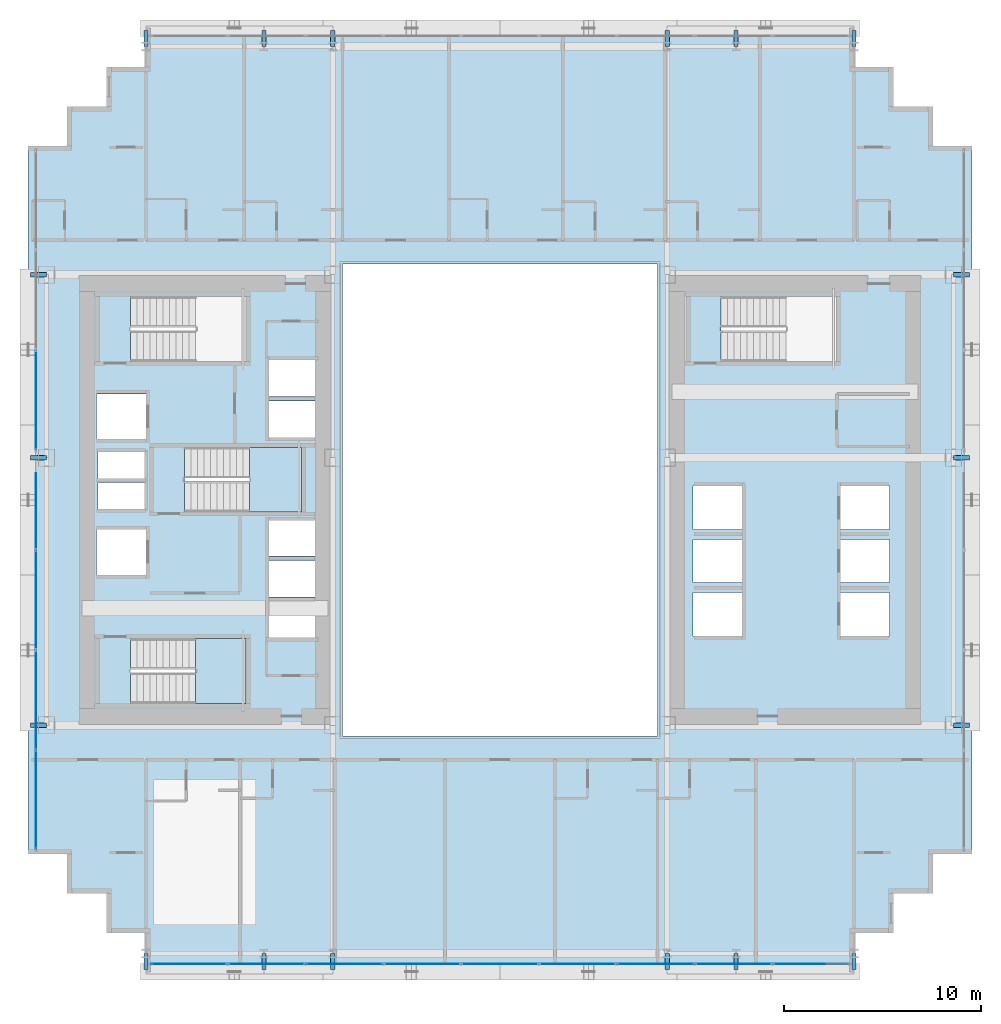
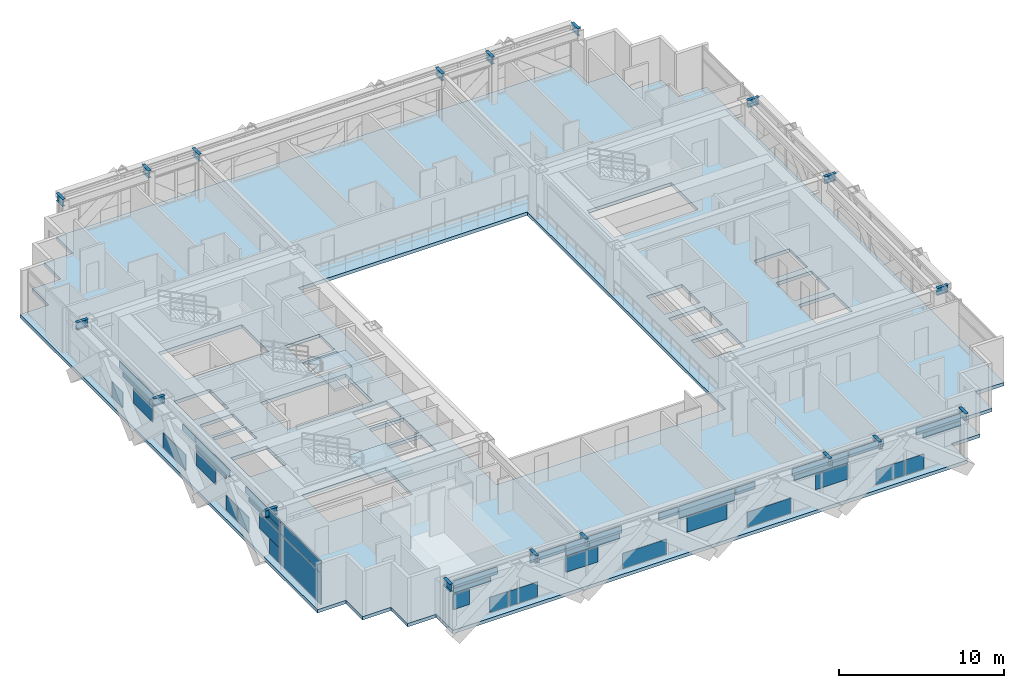
# One storey, part 23 of 35: 40 plates, 18 beams, 3 slabs, 4 elements without a shape of their own.
"""IFC4 building model written with IfcOpenShell, lengths in metres."""

from ifc_helpers import new_model, si_unit, direction, frame, origin, origin_2d, place, context, subcontext, project, spatial, polyline, rectangle, i_section, outline, extrude, source, transform, mapped, material, layer, layer_set, material_profile, profile_set, type_object, element, aggregate, save


model = new_model("IFC4")

# Units and contexts
model_context = context("Model", 3, precision=1e-05, world=origin(), true_north=direction((0.0, 1.0)))
body_context = subcontext(model_context, "Body", "Model", "MODEL_VIEW")
ifc_project = project(units=[si_unit("LENGTHUNIT", "METRE"), si_unit("AREAUNIT", "SQUARE_METRE"), si_unit("VOLUMEUNIT", "CUBIC_METRE"), si_unit("PLANEANGLEUNIT", "RADIAN"), si_unit("MASSUNIT", "GRAM", prefix="KILO")], contexts=[model_context])

# Site, building, storey
site_placement = place(None, origin())
site = spatial("IfcSite", under=ifc_project, at=site_placement, CompositionType="ELEMENT")
building_placement = place(site_placement, origin())
building = spatial("IfcBuilding", under=site, at=building_placement, Name="Ocotamira Hotel", CompositionType="ELEMENT")
storey_placement = place(building_placement, frame((0.0, 0.0, 70.800048828125)))
storey = spatial("IfcBuildingStorey", under=building, at=storey_placement, Name="L17", CompositionType="ELEMENT", Elevation=70.800048828125)

# Beams
ifc_material_1 = material(Name="Steel ASTM A992 Grade 50", Category="steel")
ifc_material_profile = material_profile(ifc_material_1, i_section(OverallWidth=0.2099609375, OverallDepth=0.537109375, WebThickness=0.010986328125, FlangeThickness=0.017333984375, FilletRadius=0.012939453125, at=origin_2d()), Name="W21X68")
ifc_profile_set = profile_set([ifc_material_profile], Name="Steel ASTM A992 Grade 50")
beam_type = type_object("IfcBeamType", Name="BM-SEC-W21X68", PredefinedType="JOIST", material=ifc_profile_set)
shared_shape_1 = source(origin(), body_context, "Body", "SweptSolid", [
    extrude(i_section(OverallWidth=0.2099609375, OverallDepth=0.537109375, WebThickness=0.010986328125, FlangeThickness=0.017333984375, FilletRadius=0.012939453125, at=origin_2d()), origin(), (0.0, 0.0, 1.0), 0.800048828125),
])
for number, where, z_axis, x_axis, name in (
    (1, (14.0, 2.949951171875, 3.08154296875), (0.0, -1.0, 0.0), (1.0, 0.0, 0.0), "L17 South Edge Header X14"),
    (2, (14.0, 49.050048828125, 3.08154296875), (0.0, 1.0, 0.0), (-1.0, 0.0, 0.0), "L17 North Edge Header X14"),
    (3, (20.0, 2.949951171875, 3.08154296875), (0.0, -1.0, 0.0), (1.0, 0.0, 0.0), "L17 South Edge Header X20"),
    (4, (20.0, 49.050048828125, 3.08154296875), (0.0, 1.0, 0.0), (-1.0, 0.0, 0.0), "L17 North Edge Header X20"),
    (5, (23.5, 2.949951171875, 3.08154296875), (0.0, -1.0, 0.0), (1.0, 0.0, 0.0), "L17 South Edge Header X23.5"),
    (6, (23.5, 49.050048828125, 3.08154296875), (0.0, 1.0, 0.0), (-1.0, 0.0, 0.0), "L17 North Edge Header X23.5"),
    (7, (40.5, 2.949951171875, 3.08154296875), (0.0, -1.0, 0.0), (1.0, 0.0, 0.0), "L17 South Edge Header X40.5"),
    (8, (40.5, 49.050048828125, 3.08154296875), (0.0, 1.0, 0.0), (-1.0, 0.0, 0.0), "L17 North Edge Header X40.5"),
    (9, (44.0, 2.949951171875, 3.08154296875), (0.0, -1.0, 0.0), (1.0, 0.0, 0.0), "L17 South Edge Header X44"),
    (10, (44.0, 49.050048828125, 3.08154296875), (0.0, 1.0, 0.0), (-1.0, 0.0, 0.0), "L17 North Edge Header X44"),
    (11, (50.0, 2.949951171875, 3.08154296875), (0.0, -1.0, 0.0), (1.0, 0.0, 0.0), "L17 South Edge Header X50"),
    (12, (50.0, 49.050048828125, 3.08154296875), (0.0, 1.0, 0.0), (-1.0, 0.0, 0.0), "L17 North Edge Header X50"),
    (13, (8.949951171875, 14.550048828125, 3.08154296875), (-1.0, 0.0, 0.0), (0.0, -1.0, 0.0), "L17 West Edge Header Y14.55"),
    (14, (55.050048828125, 14.550048828125, 3.08154296875), (1.0, 0.0, 0.0), (0.0, 1.0, 0.0), "L17 East Edge Header Y14.55"),
    (15, (8.949951171875, 28.14990234375, 3.08154296875), (-1.0, 0.0, 0.0), (0.0, -1.0, 0.0), "L17 West Edge Header Y28.15"),
    (16, (55.050048828125, 28.14990234375, 3.08154296875), (1.0, 0.0, 0.0), (0.0, 1.0, 0.0), "L17 East Edge Header Y28.15"),
    (17, (8.949951171875, 37.449951171875, 3.08154296875), (-1.0, 0.0, 0.0), (0.0, -1.0, 0.0), "L17 West Edge Header Y37.45"),
    (18, (55.050048828125, 37.449951171875, 3.08154296875), (1.0, 0.0, 0.0), (0.0, 1.0, 0.0), "L17 East Edge Header Y37.45"),
):
    element("IfcBeam", number, at=place(storey_placement, frame(where, z_axis=z_axis, x_axis=x_axis)), inside=storey, type_object=beam_type, Name=name, PredefinedType="JOIST", context=body_context, shape_type="MappedRepresentation", body=[
        mapped(shared_shape_1, transform((0.0, 0.0, 0.0), scale=1.0)),
    ])

# Stair, slab
ifc_material_2 = material(Name="Concrete C40/50", Category="concrete")
stair_type = type_object("IfcStairType", Name="ST-CORE-1560", PredefinedType="HALF_TURN_STAIR", material=ifc_material_2)
stair_1_placement = place(storey_placement, origin())
stair_1 = element("IfcStair", 19, at=stair_1_placement, inside=storey, type_object=stair_type, Name="L17 Exit Stair ST-1", PredefinedType="HALF_TURN_STAIR")
ifc_layer_1 = layer(ifc_material_2, 0.199951171875)
ifc_layer_set_1 = layer_set([ifc_layer_1], Name="Concrete C40/50")
slab_type_1 = type_object("IfcSlabType", Name="SLB-LAND-200", PredefinedType="LANDING", material=ifc_layer_set_1)
slab_1_placement = place(storey_placement, frame((0.0, 0.0, 1.599853515625)))
slab_1 = element("IfcSlab", 20, at=slab_1_placement, type_object=slab_type_1, Name="ST-1 landing 1", PredefinedType="LANDING", context=body_context, shape_type="SweptSolid", body=[
    extrude(outline(polyline([(16.530029296875, 15.669921875), (19.090087890625, 15.669921875), (19.090087890625, 18.949951171875), (16.530029296875, 18.949951171875), (16.530029296875, 15.669921875)])), origin(), (0.0, 0.0, 1.0), 0.2001953125),
])
aggregate(stair_1, [slab_1])

stair_2_placement = place(storey_placement, origin())
stair_2 = element("IfcStair", 21, at=stair_2_placement, inside=storey, type_object=stair_type, Name="L17 Exit Stair ST-3", PredefinedType="HALF_TURN_STAIR")
slab_2_placement = place(storey_placement, frame((0.0, 0.0, 1.599853515625)))
slab_2 = element("IfcSlab", 22, at=slab_2_placement, type_object=slab_type_1, Name="ST-3 landing 1", PredefinedType="LANDING", context=body_context, shape_type="SweptSolid", body=[
    extrude(outline(polyline([(19.260009765625, 25.39990234375), (21.919921875, 25.39990234375), (21.919921875, 28.679931640625), (19.260009765625, 28.679931640625), (19.260009765625, 25.39990234375)])), origin(), (0.0, 0.0, 1.0), 0.2001953125),
])
aggregate(stair_2, [slab_2])

# Slab
ifc_layer_2 = layer(ifc_material_2, 0.25)
ifc_layer_set_2 = layer_set([ifc_layer_2], Name="Concrete C40/50")
slab_type_2 = type_object("IfcSlabType", Name="SLB-Z1-250", PredefinedType="FLOOR", material=ifc_layer_set_2)
slab_3_placement = place(storey_placement, frame((0.0, 0.0, -0.25)))
element("IfcSlab", 23, at=slab_3_placement, inside=storey, type_object=slab_type_2, Name="L17 Structural Floor Slab", PredefinedType="FLOOR", context=body_context, shape_type="SweptSolid", body=[
    extrude(outline(polyline([(14.0, 2.0), (50.0, 2.0), (50.0, 4.0), (52.0, 4.0), (52.0, 6.0), (54.0, 6.0), (54.0, 8.0), (56.0, 8.0), (56.0, 44.0), (54.0, 44.0), (54.0, 46.0), (52.0, 46.0), (52.0, 48.0), (50.0, 48.0), (50.0, 50.0), (14.0, 50.0), (14.0, 48.0), (12.0, 48.0), (12.0, 46.0), (10.0, 46.0), (10.0, 44.0), (8.0, 44.0), (8.0, 8.0), (10.0, 8.0), (10.0, 6.0), (12.0, 6.0), (12.0, 4.0), (14.0, 4.0), (14.0, 2.0)]), holes=[polyline([(24.0, 14.0), (40.0, 14.0), (40.0, 38.0), (24.0, 38.0), (24.0, 14.0)]), polyline([(13.22998046875, 15.669921875), (19.090087890625, 15.669921875), (19.090087890625, 18.949951171875), (13.22998046875, 18.949951171875), (13.22998046875, 15.669921875)]), polyline([(13.22998046875, 33.050048828125), (19.090087890625, 33.050048828125), (19.090087890625, 36.330078125), (13.22998046875, 36.330078125), (13.22998046875, 33.050048828125)]), polyline([(15.9599609375, 25.39990234375), (21.919921875, 25.39990234375), (21.919921875, 28.679931640625), (15.9599609375, 28.679931640625), (15.9599609375, 25.39990234375)]), polyline([(43.22998046875, 33.050048828125), (49.090087890625, 33.050048828125), (49.090087890625, 36.330078125), (43.22998046875, 36.330078125), (43.22998046875, 33.050048828125)]), polyline([(49.300048828125, 19.10009765625), (51.800048828125, 19.10009765625), (51.800048828125, 21.300048828125), (49.300048828125, 21.300048828125), (49.300048828125, 19.10009765625)]), polyline([(49.300048828125, 21.800048828125), (51.800048828125, 21.800048828125), (51.800048828125, 24.0), (49.300048828125, 24.0), (49.300048828125, 21.800048828125)]), polyline([(49.300048828125, 24.5), (51.800048828125, 24.5), (51.800048828125, 26.699951171875), (49.300048828125, 26.699951171875), (49.300048828125, 24.5)]), polyline([(41.800048828125, 19.10009765625), (44.300048828125, 19.10009765625), (44.300048828125, 21.300048828125), (41.800048828125, 21.300048828125), (41.800048828125, 19.10009765625)]), polyline([(41.800048828125, 21.800048828125), (44.300048828125, 21.800048828125), (44.300048828125, 24.0), (41.800048828125, 24.0), (41.800048828125, 21.800048828125)]), polyline([(41.800048828125, 24.5), (44.300048828125, 24.5), (44.300048828125, 26.699951171875), (41.800048828125, 26.699951171875), (41.800048828125, 24.5)]), polyline([(20.25, 19.0), (22.659912109375, 19.0), (22.659912109375, 20.85009765625), (20.25, 20.85009765625), (20.25, 19.0)]), polyline([(20.25, 21.080078125), (22.659912109375, 21.080078125), (22.659912109375, 22.929931640625), (20.25, 22.929931640625), (20.25, 21.080078125)]), polyline([(20.25, 23.159912109375), (22.659912109375, 23.159912109375), (22.659912109375, 24.9599609375), (20.25, 24.9599609375), (20.25, 23.159912109375)]), polyline([(20.25, 29.179931640625), (22.659912109375, 29.179931640625), (22.659912109375, 31.030029296875), (20.25, 31.030029296875), (20.25, 29.179931640625)]), polyline([(20.25, 31.260009765625), (22.659912109375, 31.260009765625), (22.659912109375, 33.110107421875), (20.25, 33.110107421875), (20.25, 31.260009765625)]), polyline([(11.5, 22.199951171875), (14.0, 22.199951171875), (14.0, 24.5), (11.5, 24.5), (11.5, 22.199951171875)]), polyline([(11.5, 29.10009765625), (14.0, 29.10009765625), (14.0, 31.39990234375), (11.5, 31.39990234375), (11.5, 29.10009765625)]), polyline([(11.580078125, 25.550048828125), (13.919921875, 25.550048828125), (13.919921875, 26.89990234375), (11.580078125, 26.89990234375), (11.580078125, 25.550048828125)]), polyline([(11.580078125, 27.10009765625), (13.919921875, 27.10009765625), (13.919921875, 28.449951171875), (11.580078125, 28.449951171875), (11.580078125, 27.10009765625)])]), origin(), (0.0, 0.0, 1.0), 0.25),
])

# Curtain wall, plates
ifc_material_3 = material(Name="Anodised pale-metal aluminium and solar glass", Category="aluminium")
ifc_layer_3 = layer(ifc_material_3, 0.179931640625)
ifc_layer_set_3 = layer_set([ifc_layer_3], Name="Anodised pale-metal aluminium and solar glass")
curtain_wall_type = type_object("IfcCurtainWallType", Name="CW-SYS2-Z1", PredefinedType="NOTDEFINED", material=ifc_layer_set_3)
curtain_wall_1_placement = place(storey_placement, origin())
curtain_wall_1 = element("IfcCurtainWall", 24, at=curtain_wall_1_placement, inside=storey, type_object=curtain_wall_type, Name="L17 Curtain Wall CW-2 CW-L17-S1", PredefinedType="NOTDEFINED")
ifc_material_4 = material(Name="Double-silver low-E insulated solar glass", Category="glass")
ifc_layer_4 = layer(ifc_material_4, 0.031982421875)
ifc_layer_set_4 = layer_set([ifc_layer_4], Name="Double-silver low-E insulated solar glass")
plate_type = type_object("IfcPlateType", Name="CWP-VISION-32", PredefinedType="CURTAIN_PANEL", material=ifc_layer_set_4)
shared_shape_2 = source(origin(), body_context, "Body", "SweptSolid", [
    extrude(rectangle(XDim=1.11669921875, YDim=0.031982421875, at=origin_2d()), origin(), (0.0, 0.0, 1.0), 1.11865234375),
])
plate_1_placement = place(storey_placement, frame((14.83837890625, 2.419921875, 1.193603515625), z_axis=(0.0, 0.0, 1.0), x_axis=(1.0, 0.0, 0.0)))
plate_1 = element("IfcPlate", 25, at=plate_1_placement, type_object=plate_type, Name="CW-2 panel 1.1.1", PredefinedType="CURTAIN_PANEL", context=body_context, shape_type="MappedRepresentation", body=[
    mapped(shared_shape_2, transform((0.0, 0.0, 0.0), scale=1.0)),
])
shared_shape_3 = source(origin(), body_context, "Body", "SweptSolid", [
    extrude(rectangle(XDim=2.60888671875, YDim=0.031982421875, at=origin_2d()), origin(), (0.0, 0.0, 1.0), 0.345458984375),
])
plate_2_placement = place(storey_placement, frame((15.58447265625, 2.419921875, 2.38720703125), z_axis=(0.0, 0.0, 1.0), x_axis=(1.0, 0.0, 0.0)))
plate_2 = element("IfcPlate", 26, at=plate_2_placement, type_object=plate_type, Name="CW-2 panel 1.2.1", PredefinedType="CURTAIN_PANEL", context=body_context, shape_type="MappedRepresentation", body=[
    mapped(shared_shape_3, transform((0.0, 0.0, 0.0), scale=1.0)),
])
plate_3_placement = place(storey_placement, frame((48.41552734375, 2.419921875, 2.38720703125), z_axis=(0.0, 0.0, 1.0), x_axis=(1.0, 0.0, 0.0)))
plate_3 = element("IfcPlate", 27, at=plate_3_placement, type_object=plate_type, Name="CW-2 panel 9.2.2", PredefinedType="CURTAIN_PANEL", context=body_context, shape_type="MappedRepresentation", body=[
    mapped(shared_shape_3, transform((0.0, 0.0, 0.0), scale=1.0)),
])
shared_shape_4 = source(origin(), body_context, "Body", "SweptSolid", [
    extrude(rectangle(XDim=3.079833984375, YDim=0.031982421875, at=origin_2d()), origin(), (0.0, 0.0, 1.0), 0.5107421875),
])
plate_4_placement = place(storey_placement, frame((15.820068359375, 2.419921875, 2.76416015625), z_axis=(0.0, 0.0, 1.0), x_axis=(1.0, 0.0, 0.0)))
plate_4 = element("IfcPlate", 28, at=plate_4_placement, type_object=plate_type, Name="CW-2 panel 1.2.2", PredefinedType="CURTAIN_PANEL", context=body_context, shape_type="MappedRepresentation", body=[
    mapped(shared_shape_4, transform((0.0, 0.0, 0.0), scale=1.0)),
])
plate_5_placement = place(storey_placement, frame((48.179931640625, 2.419921875, 2.76416015625), z_axis=(0.0, 0.0, 1.0), x_axis=(1.0, 0.0, 0.0)))
plate_5 = element("IfcPlate", 29, at=plate_5_placement, type_object=plate_type, Name="CW-2 panel 9.2.1", PredefinedType="CURTAIN_PANEL", context=body_context, shape_type="MappedRepresentation", body=[
    mapped(shared_shape_4, transform((0.0, 0.0, 0.0), scale=1.0)),
])
shared_shape_5 = source(origin(), body_context, "Body", "SweptSolid", [
    extrude(rectangle(XDim=2.430908203125, YDim=0.031982421875, at=origin_2d()), origin(), (0.0, 0.0, 1.0), 0.5107421875),
])
plate_6_placement = place(storey_placement, frame((20.855712890625, 2.419921875, 2.76416015625), z_axis=(0.0, 0.0, 1.0), x_axis=(1.0, 0.0, 0.0)))
plate_6 = element("IfcPlate", 30, at=plate_6_placement, type_object=plate_type, Name="CW-2 panel 2.2.1", PredefinedType="CURTAIN_PANEL", context=body_context, shape_type="MappedRepresentation", body=[
    mapped(shared_shape_5, transform((0.0, 0.0, 0.0), scale=1.0)),
])
plate_7_placement = place(storey_placement, frame((43.144287109375, 2.419921875, 2.76416015625), z_axis=(0.0, 0.0, 1.0), x_axis=(1.0, 0.0, 0.0)))
plate_7 = element("IfcPlate", 31, at=plate_7_placement, type_object=plate_type, Name="CW-2 panel 8.2.1", PredefinedType="CURTAIN_PANEL", context=body_context, shape_type="MappedRepresentation", body=[
    mapped(shared_shape_5, transform((0.0, 0.0, 0.0), scale=1.0)),
])
shared_shape_6 = source(origin(), body_context, "Body", "SweptSolid", [
    extrude(rectangle(XDim=2.24560546875, YDim=0.031982421875, at=origin_2d()), origin(), (0.0, 0.0, 1.0), 1.11865234375),
])
plate_8_placement = place(storey_placement, frame((23.27392578125, 2.419921875, 1.193603515625), z_axis=(0.0, 0.0, 1.0), x_axis=(1.0, 0.0, 0.0)))
plate_8 = element("IfcPlate", 32, at=plate_8_placement, type_object=plate_type, Name="CW-2 panel 3.1.1", PredefinedType="CURTAIN_PANEL", context=body_context, shape_type="MappedRepresentation", body=[
    mapped(shared_shape_6, transform((0.0, 0.0, 0.0), scale=1.0)),
])
plate_9_placement = place(storey_placement, frame((40.72607421875, 2.419921875, 1.193603515625), z_axis=(0.0, 0.0, 1.0), x_axis=(1.0, 0.0, 0.0)))
plate_9 = element("IfcPlate", 33, at=plate_9_placement, type_object=plate_type, Name="CW-2 panel 7.1.1", PredefinedType="CURTAIN_PANEL", context=body_context, shape_type="MappedRepresentation", body=[
    mapped(shared_shape_6, transform((0.0, 0.0, 0.0), scale=1.0)),
])
shared_shape_7 = source(origin(), body_context, "Body", "SweptSolid", [
    extrude(rectangle(XDim=3.73779296875, YDim=0.031982421875, at=origin_2d()), origin(), (0.0, 0.0, 1.0), 0.376708984375),
])
plate_10_placement = place(storey_placement, frame((24.02001953125, 2.419921875, 2.3876953125), z_axis=(0.0, 0.0, 1.0), x_axis=(1.0, 0.0, 0.0)))
plate_10 = element("IfcPlate", 34, at=plate_10_placement, type_object=plate_type, Name="CW-2 panel 3.2.1", PredefinedType="CURTAIN_PANEL", context=body_context, shape_type="MappedRepresentation", body=[
    mapped(shared_shape_7, transform((0.0, 0.0, 0.0), scale=1.0)),
])
plate_11_placement = place(storey_placement, frame((39.97998046875, 2.419921875, 2.3876953125), z_axis=(0.0, 0.0, 1.0), x_axis=(1.0, 0.0, 0.0)))
plate_11 = element("IfcPlate", 35, at=plate_11_placement, type_object=plate_type, Name="CW-2 panel 7.2.2", PredefinedType="CURTAIN_PANEL", context=body_context, shape_type="MappedRepresentation", body=[
    mapped(shared_shape_7, transform((0.0, 0.0, 0.0), scale=1.0)),
])
shared_shape_8 = source(origin(), body_context, "Body", "SweptSolid", [
    extrude(rectangle(XDim=3.87548828125, YDim=0.031982421875, at=origin_2d()), origin(), (0.0, 0.0, 1.0), 0.5107421875),
])
plate_12_placement = place(storey_placement, frame((24.0888671875, 2.419921875, 2.76416015625), z_axis=(0.0, 0.0, 1.0), x_axis=(1.0, 0.0, 0.0)))
plate_12 = element("IfcPlate", 36, at=plate_12_placement, type_object=plate_type, Name="CW-2 panel 3.2.2", PredefinedType="CURTAIN_PANEL", context=body_context, shape_type="MappedRepresentation", body=[
    mapped(shared_shape_8, transform((0.0, 0.0, 0.0), scale=1.0)),
])
plate_13_placement = place(storey_placement, frame((39.9111328125, 2.419921875, 2.76416015625), z_axis=(0.0, 0.0, 1.0), x_axis=(1.0, 0.0, 0.0)))
plate_13 = element("IfcPlate", 37, at=plate_13_placement, type_object=plate_type, Name="CW-2 panel 7.2.1", PredefinedType="CURTAIN_PANEL", context=body_context, shape_type="MappedRepresentation", body=[
    mapped(shared_shape_8, transform((0.0, 0.0, 0.0), scale=1.0)),
])
shared_shape_9 = source(origin(), body_context, "Body", "SweptSolid", [
    extrude(rectangle(XDim=1.34228515625, YDim=0.031982421875, at=origin_2d()), origin(), (0.0, 0.0, 1.0), 0.5107421875),
])
plate_14_placement = place(storey_placement, frame((29.31103515625, 2.419921875, 2.76416015625), z_axis=(0.0, 0.0, 1.0), x_axis=(1.0, 0.0, 0.0)))
plate_14 = element("IfcPlate", 38, at=plate_14_placement, type_object=plate_type, Name="CW-2 panel 4.2.1", PredefinedType="CURTAIN_PANEL", context=body_context, shape_type="MappedRepresentation", body=[
    mapped(shared_shape_9, transform((0.0, 0.0, 0.0), scale=1.0)),
])
plate_15_placement = place(storey_placement, frame((34.68896484375, 2.419921875, 2.76416015625), z_axis=(0.0, 0.0, 1.0), x_axis=(1.0, 0.0, 0.0)))
plate_15 = element("IfcPlate", 39, at=plate_15_placement, type_object=plate_type, Name="CW-2 panel 6.2.1", PredefinedType="CURTAIN_PANEL", context=body_context, shape_type="MappedRepresentation", body=[
    mapped(shared_shape_9, transform((0.0, 0.0, 0.0), scale=1.0)),
])
shared_shape_10 = source(origin(), body_context, "Body", "SweptSolid", [
    extrude(rectangle(XDim=2.793701171875, YDim=0.031982421875, at=origin_2d()), origin(), (0.0, 0.0, 1.0), 1.11865234375),
])
plate_16_placement = place(storey_placement, frame((32.0, 2.419921875, 1.193603515625), z_axis=(0.0, 0.0, 1.0), x_axis=(1.0, 0.0, 0.0)))
plate_16 = element("IfcPlate", 40, at=plate_16_placement, type_object=plate_type, Name="CW-2 panel 5.1.1", PredefinedType="CURTAIN_PANEL", context=body_context, shape_type="MappedRepresentation", body=[
    mapped(shared_shape_10, transform((0.0, 0.0, 0.0), scale=1.0)),
])
shared_shape_11 = source(origin(), body_context, "Body", "SweptSolid", [
    extrude(rectangle(XDim=3.87548828125, YDim=0.031982421875, at=origin_2d()), origin(), (0.0, 0.0, 1.0), 0.887451171875),
])
plate_17_placement = place(storey_placement, frame((32.0, 2.419921875, 2.3876953125), z_axis=(0.0, 0.0, 1.0), x_axis=(1.0, 0.0, 0.0)))
plate_17 = element("IfcPlate", 41, at=plate_17_placement, type_object=plate_type, Name="CW-2 panel 5.2", PredefinedType="CURTAIN_PANEL", context=body_context, shape_type="MappedRepresentation", body=[
    mapped(shared_shape_11, transform((0.0, 0.0, 0.0), scale=1.0)),
])

curtain_wall_2_placement = place(storey_placement, origin())
curtain_wall_2 = element("IfcCurtainWall", 42, at=curtain_wall_2_placement, inside=storey, type_object=curtain_wall_type, Name="L17 Curtain Wall CW-2 CW-L17-W", PredefinedType="NOTDEFINED")
shared_shape_12 = source(origin(), body_context, "Body", "SweptSolid", [
    extrude(rectangle(XDim=4.9658203125, YDim=0.031982421875, at=origin_2d()), origin(), (0.0, 0.0, 1.0), 2.237548828125),
])
plate_18_placement = place(storey_placement, frame((8.419921875, 10.762939453125, 0.07470703125), z_axis=(0.0, 0.0, 1.0), x_axis=(0.0, 1.0, 0.0)))
plate_18 = element("IfcPlate", 43, at=plate_18_placement, type_object=plate_type, Name="CW-2 panel 1.1", PredefinedType="CURTAIN_PANEL", context=body_context, shape_type="MappedRepresentation", body=[
    mapped(shared_shape_12, transform((0.0, 0.0, 0.0), scale=1.0)),
])
shared_shape_13 = source(origin(), body_context, "Body", "SweptSolid", [
    extrude(rectangle(XDim=4.9658203125, YDim=0.031982421875, at=origin_2d()), origin(), (0.0, 0.0, 1.0), 0.887451171875),
])
plate_19_placement = place(storey_placement, frame((8.419921875, 10.762939453125, 2.3876953125), z_axis=(0.0, 0.0, 1.0), x_axis=(0.0, 1.0, 0.0)))
plate_19 = element("IfcPlate", 44, at=plate_19_placement, type_object=plate_type, Name="CW-2 panel 1.2", PredefinedType="CURTAIN_PANEL", context=body_context, shape_type="MappedRepresentation", body=[
    mapped(shared_shape_13, transform((0.0, 0.0, 0.0), scale=1.0)),
])
shared_shape_14 = source(origin(), body_context, "Body", "SweptSolid", [
    extrude(rectangle(XDim=2.364013671875, YDim=0.031982421875, at=origin_2d()), origin(), (0.0, 0.0, 1.0), 1.11865234375),
])
plate_20_placement = place(storey_placement, frame((8.419921875, 14.5078125, 1.193603515625), z_axis=(0.0, 0.0, 1.0), x_axis=(0.0, 1.0, 0.0)))
plate_20 = element("IfcPlate", 45, at=plate_20_placement, type_object=plate_type, Name="CW-2 panel 2.1.2", PredefinedType="CURTAIN_PANEL", context=body_context, shape_type="MappedRepresentation", body=[
    mapped(shared_shape_14, transform((0.0, 0.0, 0.0), scale=1.0)),
])
shared_shape_15 = source(origin(), body_context, "Body", "SweptSolid", [
    extrude(rectangle(XDim=3.629638671875, YDim=0.031982421875, at=origin_2d()), origin(), (0.0, 0.0, 1.0), 0.367919921875),
])
plate_21_placement = place(storey_placement, frame((8.419921875, 15.140625, 2.3876953125), z_axis=(0.0, 0.0, 1.0), x_axis=(0.0, 1.0, 0.0)))
plate_21 = element("IfcPlate", 46, at=plate_21_placement, type_object=plate_type, Name="CW-2 panel 2.2.1", PredefinedType="CURTAIN_PANEL", context=body_context, shape_type="MappedRepresentation", body=[
    mapped(shared_shape_15, transform((0.0, 0.0, 0.0), scale=1.0)),
])
shared_shape_16 = source(origin(), body_context, "Body", "SweptSolid", [
    extrude(rectangle(XDim=4.05615234375, YDim=0.031982421875, at=origin_2d()), origin(), (0.0, 0.0, 1.0), 0.485107421875),
])
plate_22_placement = place(storey_placement, frame((8.419921875, 15.353759765625, 2.7900390625), z_axis=(0.0, 0.0, 1.0), x_axis=(0.0, 1.0, 0.0)))
plate_22 = element("IfcPlate", 47, at=plate_22_placement, type_object=plate_type, Name="CW-2 panel 2.2.2", PredefinedType="CURTAIN_PANEL", context=body_context, shape_type="MappedRepresentation", body=[
    mapped(shared_shape_16, transform((0.0, 0.0, 0.0), scale=1.0)),
])
shared_shape_17 = source(origin(), body_context, "Body", "SweptSolid", [
    extrude(rectangle(XDim=2.27978515625, YDim=0.031982421875, at=origin_2d()), origin(), (0.0, 0.0, 1.0), 1.11865234375),
])
plate_23_placement = place(storey_placement, frame((8.419921875, 22.183349609375, 1.193603515625), z_axis=(0.0, 0.0, 1.0), x_axis=(0.0, 1.0, 0.0)))
plate_23 = element("IfcPlate", 48, at=plate_23_placement, type_object=plate_type, Name="CW-2 panel 3.1.2", PredefinedType="CURTAIN_PANEL", context=body_context, shape_type="MappedRepresentation", body=[
    mapped(shared_shape_17, transform((0.0, 0.0, 0.0), scale=1.0)),
])
plate_24_placement = place(storey_placement, frame((8.419921875, 29.816650390625, 1.193603515625), z_axis=(0.0, 0.0, 1.0), x_axis=(0.0, 1.0, 0.0)))
plate_24 = element("IfcPlate", 49, at=plate_24_placement, type_object=plate_type, Name="CW-2 panel 5.1.1", PredefinedType="CURTAIN_PANEL", context=body_context, shape_type="MappedRepresentation", body=[
    mapped(shared_shape_17, transform((0.0, 0.0, 0.0), scale=1.0)),
])
shared_shape_18 = source(origin(), body_context, "Body", "SweptSolid", [
    extrude(rectangle(XDim=4.06591796875, YDim=0.031982421875, at=origin_2d()), origin(), (0.0, 0.0, 1.0), 0.485107421875),
])
plate_25_placement = place(storey_placement, frame((8.419921875, 21.38427734375, 2.7900390625), z_axis=(0.0, 0.0, 1.0), x_axis=(0.0, 1.0, 0.0)))
plate_25 = element("IfcPlate", 50, at=plate_25_placement, type_object=plate_type, Name="CW-2 panel 3.2.1", PredefinedType="CURTAIN_PANEL", context=body_context, shape_type="MappedRepresentation", body=[
    mapped(shared_shape_18, transform((0.0, 0.0, 0.0), scale=1.0)),
])
plate_26_placement = place(storey_placement, frame((8.419921875, 30.61572265625, 2.7900390625), z_axis=(0.0, 0.0, 1.0), x_axis=(0.0, 1.0, 0.0)))
plate_26 = element("IfcPlate", 51, at=plate_26_placement, type_object=plate_type, Name="CW-2 panel 5.2.2", PredefinedType="CURTAIN_PANEL", context=body_context, shape_type="MappedRepresentation", body=[
    mapped(shared_shape_18, transform((0.0, 0.0, 0.0), scale=1.0)),
])
shared_shape_19 = source(origin(), body_context, "Body", "SweptSolid", [
    extrude(rectangle(XDim=3.639404296875, YDim=0.031982421875, at=origin_2d()), origin(), (0.0, 0.0, 1.0), 0.367919921875),
])
plate_27_placement = place(storey_placement, frame((8.419921875, 21.597412109375, 2.3876953125), z_axis=(0.0, 0.0, 1.0), x_axis=(0.0, 1.0, 0.0)))
plate_27 = element("IfcPlate", 52, at=plate_27_placement, type_object=plate_type, Name="CW-2 panel 3.2.2", PredefinedType="CURTAIN_PANEL", context=body_context, shape_type="MappedRepresentation", body=[
    mapped(shared_shape_19, transform((0.0, 0.0, 0.0), scale=1.0)),
])
plate_28_placement = place(storey_placement, frame((8.419921875, 30.402587890625, 2.3876953125), z_axis=(0.0, 0.0, 1.0), x_axis=(0.0, 1.0, 0.0)))
plate_28 = element("IfcPlate", 53, at=plate_28_placement, type_object=plate_type, Name="CW-2 panel 5.2.1", PredefinedType="CURTAIN_PANEL", context=body_context, shape_type="MappedRepresentation", body=[
    mapped(shared_shape_19, transform((0.0, 0.0, 0.0), scale=1.0)),
])
shared_shape_20 = source(origin(), body_context, "Body", "SweptSolid", [
    extrude(rectangle(XDim=1.518310546875, YDim=0.031982421875, at=origin_2d()), origin(), (0.0, 0.0, 1.0), 0.485107421875),
])
plate_29_placement = place(storey_placement, frame((8.419921875, 24.256103515625, 2.7900390625), z_axis=(0.0, 0.0, 1.0), x_axis=(0.0, 1.0, 0.0)))
plate_29 = element("IfcPlate", 54, at=plate_29_placement, type_object=plate_type, Name="CW-2 panel 4.2.1", PredefinedType="CURTAIN_PANEL", context=body_context, shape_type="MappedRepresentation", body=[
    mapped(shared_shape_20, transform((0.0, 0.0, 0.0), scale=1.0)),
])

# Plate
shared_shape_21 = source(origin(), body_context, "Body", "SweptSolid", [
    extrude(rectangle(XDim=1.278076171875, YDim=0.031982421875, at=origin_2d()), origin(), (0.0, 0.0, 1.0), 1.118896484375),
])
plate_30_placement = place(storey_placement, frame((17.4765625, 2.419921875, 0.07470703125), z_axis=(0.0, 0.0, 1.0), x_axis=(1.0, 0.0, 0.0)))
plate_30 = element("IfcPlate", 55, at=plate_30_placement, type_object=plate_type, Name="CW-2 panel 1.1.2", PredefinedType="CURTAIN_PANEL", context=body_context, shape_type="MappedRepresentation", body=[
    mapped(shared_shape_21, transform((0.0, 0.0, 0.0), scale=1.0)),
])

plate_31_placement = place(storey_placement, frame((46.5234375, 2.419921875, 0.07470703125), z_axis=(0.0, 0.0, 1.0), x_axis=(1.0, 0.0, 0.0)))
plate_31 = element("IfcPlate", 56, at=plate_31_placement, type_object=plate_type, Name="CW-2 panel 9.1.1", PredefinedType="CURTAIN_PANEL", context=body_context, shape_type="MappedRepresentation", body=[
    mapped(shared_shape_21, transform((0.0, 0.0, 0.0), scale=1.0)),
])

shared_shape_22 = source(origin(), body_context, "Body", "SweptSolid", [
    extrude(rectangle(XDim=1.966796875, YDim=0.031982421875, at=origin_2d()), origin(), (0.0, 0.0, 1.0), 1.118896484375),
])
plate_32_placement = place(storey_placement, frame((19.178955078125, 2.419921875, 0.07470703125), z_axis=(0.0, 0.0, 1.0), x_axis=(1.0, 0.0, 0.0)))
plate_32 = element("IfcPlate", 57, at=plate_32_placement, type_object=plate_type, Name="CW-2 panel 2.1.1", PredefinedType="CURTAIN_PANEL", context=body_context, shape_type="MappedRepresentation", body=[
    mapped(shared_shape_22, transform((0.0, 0.0, 0.0), scale=1.0)),
])

plate_33_placement = place(storey_placement, frame((44.821044921875, 2.419921875, 0.07470703125), z_axis=(0.0, 0.0, 1.0), x_axis=(1.0, 0.0, 0.0)))
plate_33 = element("IfcPlate", 58, at=plate_33_placement, type_object=plate_type, Name="CW-2 panel 8.1.1", PredefinedType="CURTAIN_PANEL", context=body_context, shape_type="MappedRepresentation", body=[
    mapped(shared_shape_22, transform((0.0, 0.0, 0.0), scale=1.0)),
])

shared_shape_23 = source(origin(), body_context, "Body", "SweptSolid", [
    extrude(rectangle(XDim=3.055908203125, YDim=0.031982421875, at=origin_2d()), origin(), (0.0, 0.0, 1.0), 1.118896484375),
])
plate_34_placement = place(storey_placement, frame((27.634521484375, 2.419921875, 0.07470703125), z_axis=(0.0, 0.0, 1.0), x_axis=(1.0, 0.0, 0.0)))
plate_34 = element("IfcPlate", 59, at=plate_34_placement, type_object=plate_type, Name="CW-2 panel 4.1.1", PredefinedType="CURTAIN_PANEL", context=body_context, shape_type="MappedRepresentation", body=[
    mapped(shared_shape_23, transform((0.0, 0.0, 0.0), scale=1.0)),
])

plate_35_placement = place(storey_placement, frame((36.365478515625, 2.419921875, 0.07470703125), z_axis=(0.0, 0.0, 1.0), x_axis=(1.0, 0.0, 0.0)))
plate_35 = element("IfcPlate", 60, at=plate_35_placement, type_object=plate_type, Name="CW-2 panel 6.1.1", PredefinedType="CURTAIN_PANEL", context=body_context, shape_type="MappedRepresentation", body=[
    mapped(shared_shape_23, transform((0.0, 0.0, 0.0), scale=1.0)),
])

aggregate(curtain_wall_1, [plate_1, plate_30, plate_2, plate_4, plate_32, plate_6, plate_8, plate_10, plate_12, plate_34, plate_14, plate_16, plate_17, plate_35, plate_15, plate_9, plate_13, plate_11, plate_33, plate_7, plate_31, plate_5, plate_3])

shared_shape_24 = source(origin(), body_context, "Body", "SweptSolid", [
    extrude(rectangle(XDim=1.177978515625, YDim=0.031982421875, at=origin_2d()), origin(), (0.0, 0.0, 1.0), 1.118896484375),
])
plate_36_placement = place(storey_placement, frame((8.419921875, 13.914794921875, 0.07470703125), z_axis=(0.0, 0.0, 1.0), x_axis=(0.0, 1.0, 0.0)))
plate_36 = element("IfcPlate", 61, at=plate_36_placement, type_object=plate_type, Name="CW-2 panel 2.1.1", PredefinedType="CURTAIN_PANEL", context=body_context, shape_type="MappedRepresentation", body=[
    mapped(shared_shape_24, transform((0.0, 0.0, 0.0), scale=1.0)),
])

shared_shape_25 = source(origin(), body_context, "Body", "SweptSolid", [
    extrude(rectangle(XDim=1.330078125, YDim=0.031982421875, at=origin_2d()), origin(), (0.0, 0.0, 1.0), 1.118896484375),
])
plate_37_placement = place(storey_placement, frame((8.419921875, 17.66650390625, 0.07470703125), z_axis=(0.0, 0.0, 1.0), x_axis=(0.0, 1.0, 0.0)))
plate_37 = element("IfcPlate", 62, at=plate_37_placement, type_object=plate_type, Name="CW-2 panel 2.1.3", PredefinedType="CURTAIN_PANEL", context=body_context, shape_type="MappedRepresentation", body=[
    mapped(shared_shape_25, transform((0.0, 0.0, 0.0), scale=1.0)),
])

shared_shape_26 = source(origin(), body_context, "Body", "SweptSolid", [
    extrude(rectangle(XDim=1.3203125, YDim=0.031982421875, at=origin_2d()), origin(), (0.0, 0.0, 1.0), 1.118896484375),
])
plate_38_placement = place(storey_placement, frame((8.419921875, 19.071533203125, 0.07470703125), z_axis=(0.0, 0.0, 1.0), x_axis=(0.0, 1.0, 0.0)))
plate_38 = element("IfcPlate", 63, at=plate_38_placement, type_object=plate_type, Name="CW-2 panel 3.1.1", PredefinedType="CURTAIN_PANEL", context=body_context, shape_type="MappedRepresentation", body=[
    mapped(shared_shape_26, transform((0.0, 0.0, 0.0), scale=1.0)),
])

plate_39_placement = place(storey_placement, frame((8.419921875, 32.928466796875, 0.07470703125), z_axis=(0.0, 0.0, 1.0), x_axis=(0.0, 1.0, 0.0)))
plate_39 = element("IfcPlate", 64, at=plate_39_placement, type_object=plate_type, Name="CW-2 panel 5.1.2", PredefinedType="CURTAIN_PANEL", context=body_context, shape_type="MappedRepresentation", body=[
    mapped(shared_shape_26, transform((0.0, 0.0, 0.0), scale=1.0)),
])

shared_shape_27 = source(origin(), body_context, "Body", "SweptSolid", [
    extrude(rectangle(XDim=2.730224609375, YDim=0.031982421875, at=origin_2d()), origin(), (0.0, 0.0, 1.0), 1.118896484375),
])
plate_40_placement = place(storey_placement, frame((8.419921875, 26.0, 0.07470703125), z_axis=(0.0, 0.0, 1.0), x_axis=(0.0, 1.0, 0.0)))
plate_40 = element("IfcPlate", 65, at=plate_40_placement, type_object=plate_type, Name="CW-2 panel 4.1.1", PredefinedType="CURTAIN_PANEL", context=body_context, shape_type="MappedRepresentation", body=[
    mapped(shared_shape_27, transform((0.0, 0.0, 0.0), scale=1.0)),
])

aggregate(curtain_wall_2, [plate_18, plate_19, plate_36, plate_20, plate_37, plate_21, plate_22, plate_38, plate_23, plate_25, plate_27, plate_40, plate_29, plate_24, plate_39, plate_28, plate_26])

save(model, "model.ifc")
